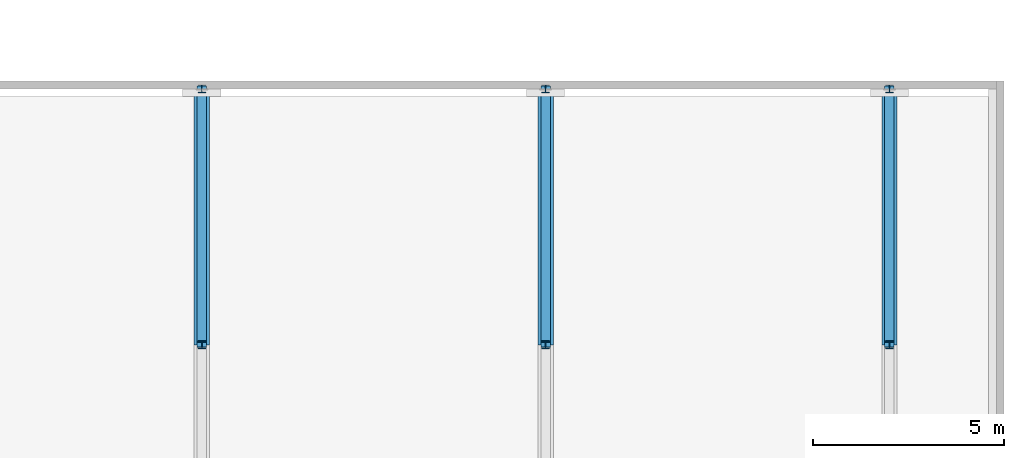
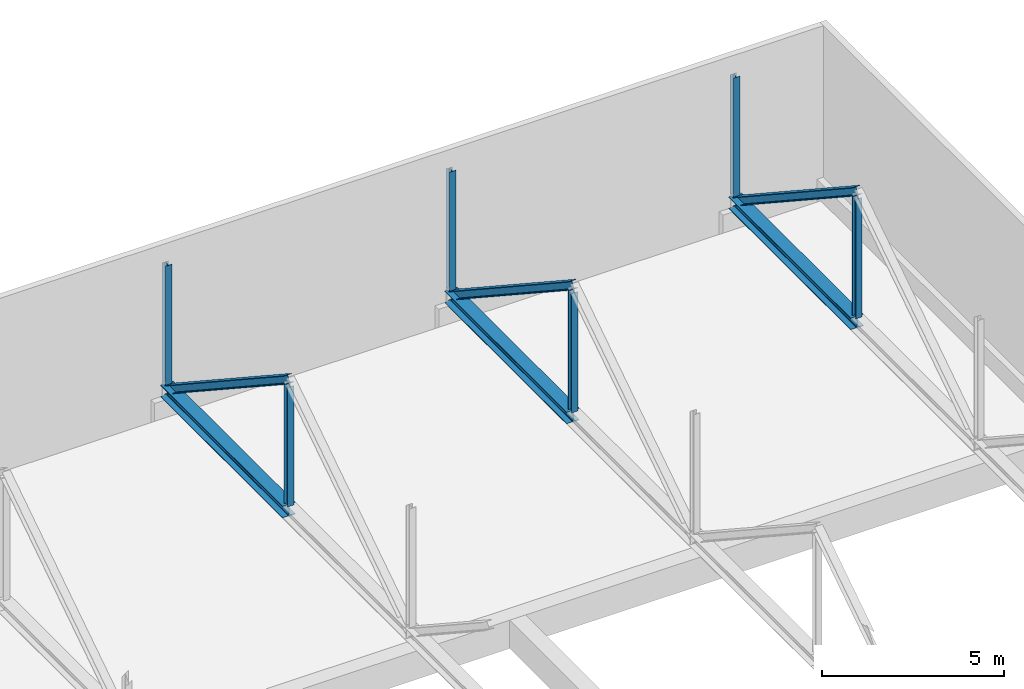
# One storey, part 18 of 49: 12 members.
"""IFC4 building model written with IfcOpenShell, lengths in metres."""

from ifc_helpers import new_model, si_unit, direction, frame, origin, origin_2d, place, context, subcontext, project, spatial, i_section, extrude, material, material_profile, profile_set, type_object, element, save


model = new_model("IFC4")

# Units and contexts
model_context = context("Model", 3, precision=1e-05, world=origin(), true_north=direction((0.0, 1.0)))
body_context = subcontext(model_context, "Body", "Model", "MODEL_VIEW")
ifc_project = project(units=[si_unit("LENGTHUNIT", "METRE"), si_unit("AREAUNIT", "SQUARE_METRE"), si_unit("VOLUMEUNIT", "CUBIC_METRE"), si_unit("PLANEANGLEUNIT", "RADIAN"), si_unit("MASSUNIT", "GRAM", prefix="KILO")], contexts=[model_context])

# Site, building, storey
site_placement = place(None, origin())
site = spatial("IfcSite", under=ifc_project, at=site_placement, CompositionType="ELEMENT")
building_placement = place(site_placement, origin())
building = spatial("IfcBuilding", under=site, at=building_placement, Name="Hunhe Ridgeline Campus", CompositionType="ELEMENT")
storey_placement = place(building_placement, frame((0.0, 0.0, 21.60009765625)))
storey = spatial("IfcBuildingStorey", under=building, at=storey_placement, Name="L04", CompositionType="ELEMENT", Elevation=21.60009765625)

# Members
ifc_material = material(Name="Steel Q355", Category="steel")
ifc_material_profile_1 = material_profile(ifc_material, i_section(OverallWidth=0.39990234375, OverallDepth=0.39990234375, WebThickness=0.012939453125, FlangeThickness=0.02099609375, FilletRadius=0.02197265625, at=origin_2d()))
ifc_profile_set_1 = profile_set([ifc_material_profile_1], Name="Steel Q355")
member_type_1 = type_object("IfcMemberType", Name="Roof truss chord HW400x400x13x21 Q355", PredefinedType="CHORD", material=ifc_profile_set_1)
for number, where, z_axis, x_axis, name in (
    (1, (189.0, 69.60009765625, 0.789794921875), (0.0, 1.0, 0.0), (-1.0, 0.0, 0.0), "Roof truss 5 bottom chord 8"),
    (2, (198.0, 69.60009765625, 0.789794921875), (0.0, 1.0, 0.0), (-1.0, 0.0, 0.0), "Roof truss 6 bottom chord 8"),
    (3, (207.0, 69.60009765625, 0.789794921875), (0.0, 1.0, 0.0), (-1.0, 0.0, 0.0), "Roof truss 7 bottom chord 8"),
):
    element("IfcMember", number, at=place(storey_placement, frame(where, z_axis=z_axis, x_axis=x_axis)), inside=storey, type_object=member_type_1, Name=name, PredefinedType="CHORD", context=body_context, shape_type="SweptSolid", body=[
        extrude(i_section(OverallWidth=0.39990234375, OverallDepth=0.39990234375, WebThickness=0.012939453125, FlangeThickness=0.02099609375, FilletRadius=0.02197265625, at=origin_2d()), origin(), (0.0, 0.0, 1.0), 6.699951171875),
    ])
ifc_material_profile_2 = material_profile(ifc_material, i_section(OverallWidth=0.25, OverallDepth=0.25, WebThickness=0.009033203125, FlangeThickness=0.013916015625, FilletRadius=0.012939453125, at=origin_2d()))
ifc_profile_set_2 = profile_set([ifc_material_profile_2], Name="Steel Q355")
member_type_2 = type_object("IfcMemberType", Name="Roof truss diagonal HW250x250x9x14 Q355", PredefinedType="BRACE", material=ifc_profile_set_2)
for number, where, z_axis, x_axis, name in (
    (4, (189.0, 69.60009765625, 5.18994140625), (0.0, 0.835858813721, -0.548944481277), (-1.0, 0.0, 0.0), "Roof truss 5 diagonal 8"),
    (5, (198.0, 69.60009765625, 5.18994140625), (0.0, 0.835858813721, -0.548944481277), (-1.0, 0.0, 0.0), "Roof truss 6 diagonal 8"),
    (6, (207.0, 69.60009765625, 5.18994140625), (0.0, 0.835858813721, -0.548944481277), (-1.0, 0.0, 0.0), "Roof truss 7 diagonal 8"),
):
    element("IfcMember", number, at=place(storey_placement, frame(where, z_axis=z_axis, x_axis=x_axis)), inside=storey, type_object=member_type_2, Name=name, PredefinedType="BRACE", context=body_context, shape_type="SweptSolid", body=[
        extrude(i_section(OverallWidth=0.25, OverallDepth=0.25, WebThickness=0.009033203125, FlangeThickness=0.013916015625, FilletRadius=0.012939453125, at=origin_2d()), origin(), (0.0, 0.0, 1.0), 8.015625),
    ])
ifc_material_profile_3 = material_profile(ifc_material, i_section(OverallWidth=0.199951171875, OverallDepth=0.199951171875, WebThickness=0.008056640625, FlangeThickness=0.011962890625, FilletRadius=0.012939453125, at=origin_2d()))
ifc_profile_set_3 = profile_set([ifc_material_profile_3], Name="Steel Q355")
member_type_3 = type_object("IfcMemberType", Name="Roof truss post HW200x200x8x12 Q355", PredefinedType="POST", material=ifc_profile_set_3)
for number, where, z_axis, x_axis, name in (
    (7, (189.0, 69.60009765625, 0.989990234375), (0.0, 0.0, 1.0), (1.0, 0.0, 0.0), "Roof truss 5 post 7"),
    (8, (189.0, 76.300048828125, 0.989990234375), (0.0, 0.0, 1.0), (1.0, 0.0, 0.0), "Roof truss 5 post 8"),
    (9, (198.0, 69.60009765625, 0.989990234375), (0.0, 0.0, 1.0), (1.0, 0.0, 0.0), "Roof truss 6 post 7"),
    (10, (198.0, 76.300048828125, 0.989990234375), (0.0, 0.0, 1.0), (1.0, 0.0, 0.0), "Roof truss 6 post 8"),
    (11, (207.0, 69.60009765625, 0.989990234375), (0.0, 0.0, 1.0), (1.0, 0.0, 0.0), "Roof truss 7 post 7"),
    (12, (207.0, 76.300048828125, 0.989990234375), (0.0, 0.0, 1.0), (1.0, 0.0, 0.0), "Roof truss 7 post 8"),
):
    element("IfcMember", number, at=place(storey_placement, frame(where, z_axis=z_axis, x_axis=x_axis)), inside=storey, type_object=member_type_3, Name=name, PredefinedType="POST", context=body_context, shape_type="SweptSolid", body=[
        extrude(i_section(OverallWidth=0.199951171875, OverallDepth=0.199951171875, WebThickness=0.008056640625, FlangeThickness=0.011962890625, FilletRadius=0.012939453125, at=origin_2d()), origin(), (0.0, 0.0, 1.0), 4.0),
    ])

save(model, "model.ifc")
